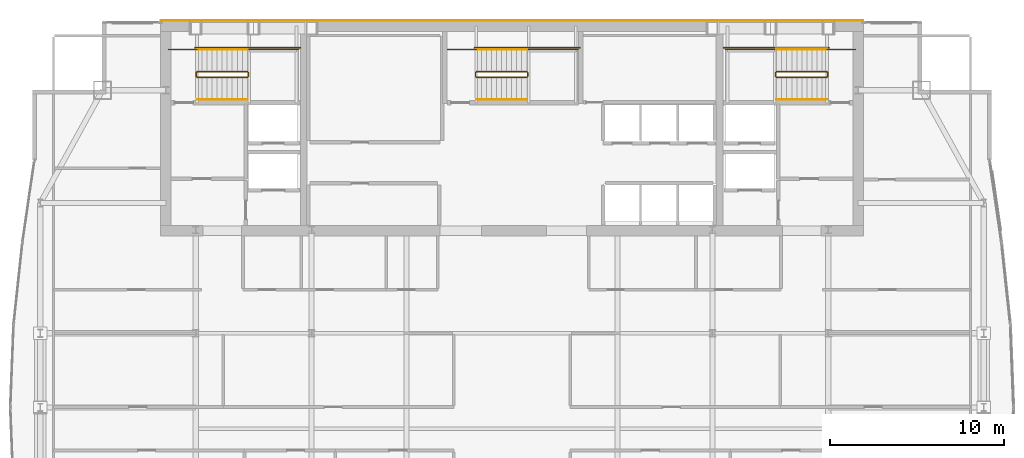
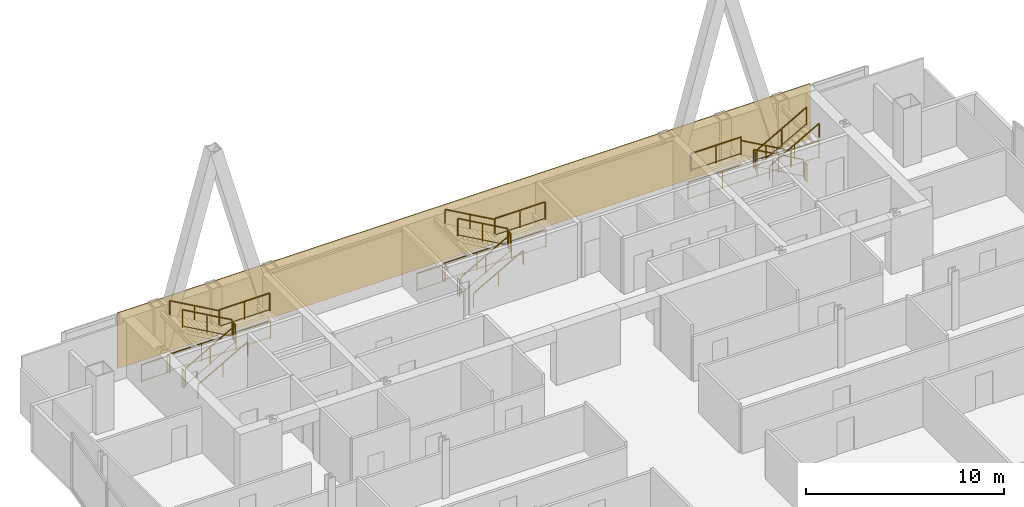
# One storey, part 31 of 31: 27 railings, 1 covering.
"""IFC4 building model written with IfcOpenShell, lengths in metres."""

from ifc_helpers import new_model, si_unit, direction, frame, origin, origin_2d, place, context, subcontext, project, spatial, polyline, rectangle, outline, extrude, material, layer, layer_set, type_object, element, save


model = new_model("IFC4")

# Units and contexts
model_context = context("Model", 3, precision=1e-05, world=origin(), true_north=direction((0.0, 1.0)))
body_context = subcontext(model_context, "Body", "Model", "MODEL_VIEW")
ifc_project = project(units=[si_unit("LENGTHUNIT", "METRE"), si_unit("AREAUNIT", "SQUARE_METRE"), si_unit("VOLUMEUNIT", "CUBIC_METRE"), si_unit("PLANEANGLEUNIT", "RADIAN"), si_unit("MASSUNIT", "GRAM", prefix="KILO")], contexts=[model_context])

# Site, building, storey
site_placement = place(None, origin())
site = spatial("IfcSite", under=ifc_project, at=site_placement, CompositionType="ELEMENT")
building_placement = place(site_placement, origin())
building = spatial("IfcBuilding", under=site, at=building_placement, Name="Khoronbel Lancet Exchange", CompositionType="ELEMENT")
storey_placement = place(building_placement, frame((0.0, 0.0, 249.800048828125)))
storey = spatial("IfcBuildingStorey", under=building, at=storey_placement, Name="L64", CompositionType="ELEMENT", Elevation=249.800048828125)

# Covering
ifc_material_1 = material(Name="Honed Egyptian Limestone & Bronze Rainscreen", Category="masonry")
ifc_layer = layer(ifc_material_1, 0.050048828125, Name="Honed Egyptian Limestone & Bronze Rainscreen")
ifc_layer_set = layer_set([ifc_layer], Name="Honed Egyptian Limestone & Bronze Rainscreen")
covering_type = type_object("IfcCoveringType", Name="COV-CLAD1", PredefinedType="CLADDING", material=ifc_layer_set)
covering_placement = place(storey_placement, origin())
element("IfcCovering", 1, at=covering_placement, inside=storey, type_object=covering_type, Name="Level L64 north rear-core stone and bronze rainscreen cladding", PredefinedType="CLADDING", context=body_context, shape_type="SweptSolid", body=[
    extrude(outline(polyline([(16.199951171875, 53.699951171875), (56.699951171875, 53.699951171875), (56.699951171875, 53.75), (16.199951171875, 53.75), (16.199951171875, 53.699951171875)])), origin(), (0.0, 0.0, 1.0), 3.43994140625),
])

# Railings
ifc_material_2 = material(Name="Painted Steel Balustrade", Category="steel")
railing_type_1 = type_object("IfcRailingType", Name="RL-STG110", PredefinedType="GUARDRAIL", material=ifc_material_2)
railing_1_placement = place(storey_placement, frame((18.300048828125, 50.449951171875, 0.16357421875)))
element("IfcRailing", 2, at=railing_1_placement, inside=storey, type_object=railing_type_1, Name="L64 ST1 stair guard 1", PredefinedType="GUARDRAIL", context=body_context, shape_type="SweptSolid", body=[
    extrude(rectangle(XDim=0.048095703125, YDim=0.048095703125, at=origin_2d()), frame((0.0, 0.0, 1.09619140625), z_axis=(0.870897200241, 0.0, 0.491465224214), x_axis=(0.0, 1.0, 0.0)), (0.0, 0.0, 1.0), 3.329833984375),
    extrude(rectangle(XDim=0.02392578125, YDim=0.02392578125, at=origin_2d()), frame((0.0, 0.0, 0.080078125), z_axis=(0.870897200241, 0.0, 0.491465224214), x_axis=(0.0, 1.0, 0.0)), (0.0, 0.0, 1.0), 3.329833984375),
    extrude(rectangle(XDim=0.0419921875, YDim=0.0419921875, at=origin_2d()), origin(), (0.0, 0.0, 1.0), 1.072021484375),
    extrude(rectangle(XDim=0.0419921875, YDim=0.0419921875, at=origin_2d()), frame((1.449951171875, 0.0, 0.818359375)), (0.0, 0.0, 1.0), 1.072021484375),
    extrude(rectangle(XDim=0.0419921875, YDim=0.0419921875, at=origin_2d()), frame((2.89990234375, 0.0, 1.636474609375)), (0.0, 0.0, 1.0), 1.072021484375),
])
railing_2_placement = place(storey_placement, frame((21.25, 50.5, 1.800048828125)))
element("IfcRailing", 3, at=railing_2_placement, inside=storey, type_object=railing_type_1, Name="L64 ST1 stair guard 2", PredefinedType="GUARDRAIL", context=body_context, shape_type="SweptSolid", body=[
    extrude(rectangle(XDim=0.048095703125, YDim=0.048095703125, at=origin_2d()), frame((0.0, 0.0, 1.09619140625), z_axis=(0.0, 1.0, 0.0), x_axis=(-1.0, 0.0, 0.0)), (0.0, 0.0, 1.0), 0.219970703125),
    extrude(rectangle(XDim=0.02392578125, YDim=0.02392578125, at=origin_2d()), frame((0.0, 0.0, 0.080078125), z_axis=(0.0, 1.0, 0.0), x_axis=(-1.0, 0.0, 0.0)), (0.0, 0.0, 1.0), 0.219970703125),
    extrude(rectangle(XDim=0.0419921875, YDim=0.0419921875, at=origin_2d()), origin(), (0.0, 0.0, 1.0), 1.072021484375),
    extrude(rectangle(XDim=0.0419921875, YDim=0.0419921875, at=origin_2d()), frame((0.0, 0.219970703125, 0.0)), (0.0, 0.0, 1.0), 1.072021484375),
])
railing_3_placement = place(storey_placement, frame((21.199951171875, 52.050048828125, 1.800048828125)))
element("IfcRailing", 4, at=railing_3_placement, inside=storey, type_object=railing_type_1, Name="L64 ST1 stair guard 3", PredefinedType="GUARDRAIL", context=body_context, shape_type="SweptSolid", body=[
    extrude(rectangle(XDim=0.048095703125, YDim=0.048095703125, at=origin_2d()), frame((0.0, 0.0, 1.09619140625), z_axis=(1.0, 0.0, 0.0), x_axis=(0.0, 1.0, 0.0)), (0.0, 0.0, 1.0), 2.949951171875),
    extrude(rectangle(XDim=0.02392578125, YDim=0.02392578125, at=origin_2d()), frame((0.0, 0.0, 0.080078125), z_axis=(1.0, 0.0, 0.0), x_axis=(0.0, 1.0, 0.0)), (0.0, 0.0, 1.0), 2.949951171875),
    extrude(rectangle(XDim=0.0419921875, YDim=0.0419921875, at=origin_2d()), origin(), (0.0, 0.0, 1.0), 1.072021484375),
    extrude(rectangle(XDim=0.0419921875, YDim=0.0419921875, at=origin_2d()), frame((1.47509765625, 0.0, 0.0)), (0.0, 0.0, 1.0), 1.072021484375),
    extrude(rectangle(XDim=0.0419921875, YDim=0.0419921875, at=origin_2d()), frame((2.949951171875, 0.0, 0.0)), (0.0, 0.0, 1.0), 1.072021484375),
])
railing_4_placement = place(storey_placement, frame((21.199951171875, 50.77001953125, 1.963623046875)))
element("IfcRailing", 5, at=railing_4_placement, inside=storey, type_object=railing_type_1, Name="L64 ST1 stair guard 4", PredefinedType="GUARDRAIL", context=body_context, shape_type="SweptSolid", body=[
    extrude(rectangle(XDim=0.048095703125, YDim=0.048095703125, at=origin_2d()), frame((0.0, 0.0, 1.09619140625), z_axis=(-0.870928581787, 0.0, 0.491409610636), x_axis=(0.0, -1.0, 0.0)), (0.0, 0.0, 1.0), 3.32958984375),
    extrude(rectangle(XDim=0.02392578125, YDim=0.02392578125, at=origin_2d()), frame((0.0, 0.0, 0.080078125), z_axis=(-0.870928581787, 0.0, 0.491409610636), x_axis=(0.0, -1.0, 0.0)), (0.0, 0.0, 1.0), 3.32958984375),
    extrude(rectangle(XDim=0.0419921875, YDim=0.0419921875, at=origin_2d()), origin(), (0.0, 0.0, 1.0), 1.072021484375),
    extrude(rectangle(XDim=0.0419921875, YDim=0.0419921875, at=origin_2d()), frame((-1.449951171875, 0.0, 0.818115234375)), (0.0, 0.0, 1.0), 1.072021484375),
    extrude(rectangle(XDim=0.0419921875, YDim=0.0419921875, at=origin_2d()), frame((-2.89990234375, 0.0, 1.63623046875)), (0.0, 0.0, 1.0), 1.072021484375),
])
railing_5_placement = place(storey_placement, frame((18.25, 50.5, 0.0)))
element("IfcRailing", 6, at=railing_5_placement, inside=storey, type_object=railing_type_1, Name="L64 ST1 stair guard 5", PredefinedType="GUARDRAIL", context=body_context, shape_type="SweptSolid", body=[
    extrude(rectangle(XDim=0.048095703125, YDim=0.048095703125, at=origin_2d()), frame((0.0, 0.0, 1.09619140625), z_axis=(0.0, 1.0, 0.0), x_axis=(-1.0, 0.0, 0.0)), (0.0, 0.0, 1.0), 0.219970703125),
    extrude(rectangle(XDim=0.02392578125, YDim=0.02392578125, at=origin_2d()), frame((0.0, 0.0, 0.080078125), z_axis=(0.0, 1.0, 0.0), x_axis=(-1.0, 0.0, 0.0)), (0.0, 0.0, 1.0), 0.219970703125),
    extrude(rectangle(XDim=0.0419921875, YDim=0.0419921875, at=origin_2d()), origin(), (0.0, 0.0, 1.0), 1.072021484375),
    extrude(rectangle(XDim=0.0419921875, YDim=0.0419921875, at=origin_2d()), frame((0.0, 0.219970703125, 0.0)), (0.0, 0.0, 1.0), 1.072021484375),
])
railing_6_placement = place(storey_placement, frame((16.64990234375, 52.050048828125, 0.0)))
element("IfcRailing", 7, at=railing_6_placement, inside=storey, type_object=railing_type_1, Name="L64 ST1 stair guard 6", PredefinedType="GUARDRAIL", context=body_context, shape_type="SweptSolid", body=[
    extrude(rectangle(XDim=0.048095703125, YDim=0.048095703125, at=origin_2d()), frame((0.0, 0.0, 1.09619140625), z_axis=(1.0, 0.0, 0.0), x_axis=(0.0, 1.0, 0.0)), (0.0, 0.0, 1.0), 1.650146484375),
    extrude(rectangle(XDim=0.02392578125, YDim=0.02392578125, at=origin_2d()), frame((0.0, 0.0, 0.080078125), z_axis=(1.0, 0.0, 0.0), x_axis=(0.0, 1.0, 0.0)), (0.0, 0.0, 1.0), 1.650146484375),
    extrude(rectangle(XDim=0.0419921875, YDim=0.0419921875, at=origin_2d()), origin(), (0.0, 0.0, 1.0), 1.072021484375),
    extrude(rectangle(XDim=0.0419921875, YDim=0.0419921875, at=origin_2d()), frame((1.650146484375, 0.0, 0.0)), (0.0, 0.0, 1.0), 1.072021484375),
])
railing_7_placement = place(storey_placement, frame((18.199951171875, 52.14990234375, 0.0)))
element("IfcRailing", 8, at=railing_7_placement, inside=storey, type_object=railing_type_1, Name="L64 ST1 stair guard 7", PredefinedType="GUARDRAIL", context=body_context, shape_type="SweptSolid", body=[
    extrude(rectangle(XDim=0.048095703125, YDim=0.048095703125, at=origin_2d()), frame((0.0, 0.0, 1.09619140625), z_axis=(1.0, 0.0, 0.0), x_axis=(0.0, 1.0, 0.0)), (0.0, 0.0, 1.0), 6.050048828125),
    extrude(rectangle(XDim=0.02392578125, YDim=0.02392578125, at=origin_2d()), frame((0.0, 0.0, 0.080078125), z_axis=(1.0, 0.0, 0.0), x_axis=(0.0, 1.0, 0.0)), (0.0, 0.0, 1.0), 6.050048828125),
    extrude(rectangle(XDim=0.0419921875, YDim=0.0419921875, at=origin_2d()), origin(), (0.0, 0.0, 1.0), 1.072021484375),
    extrude(rectangle(XDim=0.0419921875, YDim=0.0419921875, at=origin_2d()), frame((2.0166015625, 0.0, 0.0)), (0.0, 0.0, 1.0), 1.072021484375),
    extrude(rectangle(XDim=0.0419921875, YDim=0.0419921875, at=origin_2d()), frame((4.033447265625, 0.0, 0.0)), (0.0, 0.0, 1.0), 1.072021484375),
    extrude(rectangle(XDim=0.0419921875, YDim=0.0419921875, at=origin_2d()), frame((6.050048828125, 0.0, 0.0)), (0.0, 0.0, 1.0), 1.072021484375),
])
railing_8_placement = place(storey_placement, frame((54.60009765625, 50.77001953125, 0.16357421875)))
element("IfcRailing", 9, at=railing_8_placement, inside=storey, type_object=railing_type_1, Name="L64 ST2 stair guard 1", PredefinedType="GUARDRAIL", context=body_context, shape_type="SweptSolid", body=[
    extrude(rectangle(XDim=0.048095703125, YDim=0.048095703125, at=origin_2d()), frame((0.0, 0.0, 1.09619140625), z_axis=(-0.870914908162, 0.0, 0.491433843708), x_axis=(0.0, -1.0, 0.0)), (0.0, 0.0, 1.0), 3.330078125),
    extrude(rectangle(XDim=0.02392578125, YDim=0.02392578125, at=origin_2d()), frame((0.0, 0.0, 0.080078125), z_axis=(-0.870914908162, 0.0, 0.491433843708), x_axis=(0.0, -1.0, 0.0)), (0.0, 0.0, 1.0), 3.330078125),
    extrude(rectangle(XDim=0.0419921875, YDim=0.0419921875, at=origin_2d()), origin(), (0.0, 0.0, 1.0), 1.072021484375),
    extrude(rectangle(XDim=0.0419921875, YDim=0.0419921875, at=origin_2d()), frame((-1.4501953125, 0.0, 0.818359375)), (0.0, 0.0, 1.0), 1.072021484375),
    extrude(rectangle(XDim=0.0419921875, YDim=0.0419921875, at=origin_2d()), frame((-2.900146484375, 0.0, 1.636474609375)), (0.0, 0.0, 1.0), 1.072021484375),
])
railing_9_placement = place(storey_placement, frame((51.64990234375, 50.719970703125, 1.800048828125)))
element("IfcRailing", 10, at=railing_9_placement, inside=storey, type_object=railing_type_1, Name="L64 ST2 stair guard 2", PredefinedType="GUARDRAIL", context=body_context, shape_type="SweptSolid", body=[
    extrude(rectangle(XDim=0.048095703125, YDim=0.048095703125, at=origin_2d()), frame((0.0, 0.0, 1.09619140625), z_axis=(0.0, -1.0, 0.0), x_axis=(1.0, 0.0, 0.0)), (0.0, 0.0, 1.0), 0.219970703125),
    extrude(rectangle(XDim=0.02392578125, YDim=0.02392578125, at=origin_2d()), frame((0.0, 0.0, 0.080078125), z_axis=(0.0, -1.0, 0.0), x_axis=(1.0, 0.0, 0.0)), (0.0, 0.0, 1.0), 0.219970703125),
    extrude(rectangle(XDim=0.0419921875, YDim=0.0419921875, at=origin_2d()), origin(), (0.0, 0.0, 1.0), 1.072021484375),
    extrude(rectangle(XDim=0.0419921875, YDim=0.0419921875, at=origin_2d()), frame((0.0, -0.219970703125, 0.0)), (0.0, 0.0, 1.0), 1.072021484375),
])
railing_10_placement = place(storey_placement, frame((51.699951171875, 52.050048828125, 1.800048828125)))
element("IfcRailing", 11, at=railing_10_placement, inside=storey, type_object=railing_type_1, Name="L64 ST2 stair guard 3", PredefinedType="GUARDRAIL", context=body_context, shape_type="SweptSolid", body=[
    extrude(rectangle(XDim=0.048095703125, YDim=0.048095703125, at=origin_2d()), frame((0.0, 0.0, 1.09619140625), z_axis=(-1.0, 0.0, 0.0), x_axis=(0.0, -1.0, 0.0)), (0.0, 0.0, 1.0), 2.949951171875),
    extrude(rectangle(XDim=0.02392578125, YDim=0.02392578125, at=origin_2d()), frame((0.0, 0.0, 0.080078125), z_axis=(-1.0, 0.0, 0.0), x_axis=(0.0, -1.0, 0.0)), (0.0, 0.0, 1.0), 2.949951171875),
    extrude(rectangle(XDim=0.0419921875, YDim=0.0419921875, at=origin_2d()), origin(), (0.0, 0.0, 1.0), 1.072021484375),
    extrude(rectangle(XDim=0.0419921875, YDim=0.0419921875, at=origin_2d()), frame((-1.47509765625, 0.0, 0.0)), (0.0, 0.0, 1.0), 1.072021484375),
    extrude(rectangle(XDim=0.0419921875, YDim=0.0419921875, at=origin_2d()), frame((-2.949951171875, 0.0, 0.0)), (0.0, 0.0, 1.0), 1.072021484375),
])
railing_11_placement = place(storey_placement, frame((51.699951171875, 50.449951171875, 1.963623046875)))
element("IfcRailing", 12, at=railing_11_placement, inside=storey, type_object=railing_type_1, Name="L64 ST2 stair guard 4", PredefinedType="GUARDRAIL", context=body_context, shape_type="SweptSolid", body=[
    extrude(rectangle(XDim=0.048095703125, YDim=0.048095703125, at=origin_2d()), frame((0.0, 0.0, 1.09619140625), z_axis=(0.870946286338, 0.0, 0.49137823142), x_axis=(0.0, 1.0, 0.0)), (0.0, 0.0, 1.0), 3.329833984375),
    extrude(rectangle(XDim=0.02392578125, YDim=0.02392578125, at=origin_2d()), frame((0.0, 0.0, 0.080078125), z_axis=(0.870946286338, 0.0, 0.49137823142), x_axis=(0.0, 1.0, 0.0)), (0.0, 0.0, 1.0), 3.329833984375),
    extrude(rectangle(XDim=0.0419921875, YDim=0.0419921875, at=origin_2d()), origin(), (0.0, 0.0, 1.0), 1.072021484375),
    extrude(rectangle(XDim=0.0419921875, YDim=0.0419921875, at=origin_2d()), frame((1.4501953125, 0.0, 0.818115234375)), (0.0, 0.0, 1.0), 1.072021484375),
    extrude(rectangle(XDim=0.0419921875, YDim=0.0419921875, at=origin_2d()), frame((2.900146484375, 0.0, 1.63623046875)), (0.0, 0.0, 1.0), 1.072021484375),
])
railing_12_placement = place(storey_placement, frame((54.64990234375, 50.719970703125, 0.0)))
element("IfcRailing", 13, at=railing_12_placement, inside=storey, type_object=railing_type_1, Name="L64 ST2 stair guard 5", PredefinedType="GUARDRAIL", context=body_context, shape_type="SweptSolid", body=[
    extrude(rectangle(XDim=0.048095703125, YDim=0.048095703125, at=origin_2d()), frame((0.0, 0.0, 1.09619140625), z_axis=(0.0, -1.0, 0.0), x_axis=(1.0, 0.0, 0.0)), (0.0, 0.0, 1.0), 0.219970703125),
    extrude(rectangle(XDim=0.02392578125, YDim=0.02392578125, at=origin_2d()), frame((0.0, 0.0, 0.080078125), z_axis=(0.0, -1.0, 0.0), x_axis=(1.0, 0.0, 0.0)), (0.0, 0.0, 1.0), 0.219970703125),
    extrude(rectangle(XDim=0.0419921875, YDim=0.0419921875, at=origin_2d()), origin(), (0.0, 0.0, 1.0), 1.072021484375),
    extrude(rectangle(XDim=0.0419921875, YDim=0.0419921875, at=origin_2d()), frame((0.0, -0.219970703125, 0.0)), (0.0, 0.0, 1.0), 1.072021484375),
])
railing_13_placement = place(storey_placement, frame((56.25, 52.050048828125, 0.0)))
element("IfcRailing", 14, at=railing_13_placement, inside=storey, type_object=railing_type_1, Name="L64 ST2 stair guard 6", PredefinedType="GUARDRAIL", context=body_context, shape_type="SweptSolid", body=[
    extrude(rectangle(XDim=0.048095703125, YDim=0.048095703125, at=origin_2d()), frame((0.0, 0.0, 1.09619140625), z_axis=(-1.0, 0.0, 0.0), x_axis=(0.0, -1.0, 0.0)), (0.0, 0.0, 1.0), 1.64990234375),
    extrude(rectangle(XDim=0.02392578125, YDim=0.02392578125, at=origin_2d()), frame((0.0, 0.0, 0.080078125), z_axis=(-1.0, 0.0, 0.0), x_axis=(0.0, -1.0, 0.0)), (0.0, 0.0, 1.0), 1.64990234375),
    extrude(rectangle(XDim=0.0419921875, YDim=0.0419921875, at=origin_2d()), origin(), (0.0, 0.0, 1.0), 1.072021484375),
    extrude(rectangle(XDim=0.0419921875, YDim=0.0419921875, at=origin_2d()), frame((-1.64990234375, 0.0, 0.0)), (0.0, 0.0, 1.0), 1.072021484375),
])
railing_14_placement = place(storey_placement, frame((54.699951171875, 52.14990234375, 0.0)))
element("IfcRailing", 15, at=railing_14_placement, inside=storey, type_object=railing_type_1, Name="L64 ST2 stair guard 7", PredefinedType="GUARDRAIL", context=body_context, shape_type="SweptSolid", body=[
    extrude(rectangle(XDim=0.048095703125, YDim=0.048095703125, at=origin_2d()), frame((0.0, 0.0, 1.09619140625), z_axis=(-1.0, 0.0, 0.0), x_axis=(0.0, -1.0, 0.0)), (0.0, 0.0, 1.0), 6.050048828125),
    extrude(rectangle(XDim=0.02392578125, YDim=0.02392578125, at=origin_2d()), frame((0.0, 0.0, 0.080078125), z_axis=(-1.0, 0.0, 0.0), x_axis=(0.0, -1.0, 0.0)), (0.0, 0.0, 1.0), 6.050048828125),
    extrude(rectangle(XDim=0.0419921875, YDim=0.0419921875, at=origin_2d()), origin(), (0.0, 0.0, 1.0), 1.072021484375),
    extrude(rectangle(XDim=0.0419921875, YDim=0.0419921875, at=origin_2d()), frame((-2.0166015625, 0.0, 0.0)), (0.0, 0.0, 1.0), 1.072021484375),
    extrude(rectangle(XDim=0.0419921875, YDim=0.0419921875, at=origin_2d()), frame((-4.033447265625, 0.0, 0.0)), (0.0, 0.0, 1.0), 1.072021484375),
    extrude(rectangle(XDim=0.0419921875, YDim=0.0419921875, at=origin_2d()), frame((-6.050048828125, 0.0, 0.0)), (0.0, 0.0, 1.0), 1.072021484375),
])
railing_15_placement = place(storey_placement, frame((34.39990234375, 50.449951171875, 0.16357421875)))
element("IfcRailing", 16, at=railing_15_placement, inside=storey, type_object=railing_type_1, Name="L64 ST3 stair guard 1", PredefinedType="GUARDRAIL", context=body_context, shape_type="SweptSolid", body=[
    extrude(rectangle(XDim=0.048095703125, YDim=0.048095703125, at=origin_2d()), frame((0.0, 0.0, 1.09619140625), z_axis=(0.870914908162, 0.0, 0.491433843708), x_axis=(0.0, 1.0, 0.0)), (0.0, 0.0, 1.0), 3.330078125),
    extrude(rectangle(XDim=0.02392578125, YDim=0.02392578125, at=origin_2d()), frame((0.0, 0.0, 0.080078125), z_axis=(0.870914908162, 0.0, 0.491433843708), x_axis=(0.0, 1.0, 0.0)), (0.0, 0.0, 1.0), 3.330078125),
    extrude(rectangle(XDim=0.0419921875, YDim=0.0419921875, at=origin_2d()), origin(), (0.0, 0.0, 1.0), 1.072021484375),
    extrude(rectangle(XDim=0.0419921875, YDim=0.0419921875, at=origin_2d()), frame((1.4501953125, 0.0, 0.818359375)), (0.0, 0.0, 1.0), 1.072021484375),
    extrude(rectangle(XDim=0.0419921875, YDim=0.0419921875, at=origin_2d()), frame((2.900146484375, 0.0, 1.636474609375)), (0.0, 0.0, 1.0), 1.072021484375),
])
railing_16_placement = place(storey_placement, frame((37.35009765625, 50.5, 1.800048828125)))
element("IfcRailing", 17, at=railing_16_placement, inside=storey, type_object=railing_type_1, Name="L64 ST3 stair guard 2", PredefinedType="GUARDRAIL", context=body_context, shape_type="SweptSolid", body=[
    extrude(rectangle(XDim=0.048095703125, YDim=0.048095703125, at=origin_2d()), frame((0.0, 0.0, 1.09619140625), z_axis=(0.0, 1.0, 0.0), x_axis=(-1.0, 0.0, 0.0)), (0.0, 0.0, 1.0), 0.219970703125),
    extrude(rectangle(XDim=0.02392578125, YDim=0.02392578125, at=origin_2d()), frame((0.0, 0.0, 0.080078125), z_axis=(0.0, 1.0, 0.0), x_axis=(-1.0, 0.0, 0.0)), (0.0, 0.0, 1.0), 0.219970703125),
    extrude(rectangle(XDim=0.0419921875, YDim=0.0419921875, at=origin_2d()), origin(), (0.0, 0.0, 1.0), 1.072021484375),
    extrude(rectangle(XDim=0.0419921875, YDim=0.0419921875, at=origin_2d()), frame((0.0, 0.219970703125, 0.0)), (0.0, 0.0, 1.0), 1.072021484375),
])
railing_17_placement = place(storey_placement, frame((37.300048828125, 52.050048828125, 1.800048828125)))
element("IfcRailing", 18, at=railing_17_placement, inside=storey, type_object=railing_type_1, Name="L64 ST3 stair guard 3", PredefinedType="GUARDRAIL", context=body_context, shape_type="SweptSolid", body=[
    extrude(rectangle(XDim=0.048095703125, YDim=0.048095703125, at=origin_2d()), frame((0.0, 0.0, 1.09619140625), z_axis=(1.0, 0.0, 0.0), x_axis=(0.0, 1.0, 0.0)), (0.0, 0.0, 1.0), 2.949951171875),
    extrude(rectangle(XDim=0.02392578125, YDim=0.02392578125, at=origin_2d()), frame((0.0, 0.0, 0.080078125), z_axis=(1.0, 0.0, 0.0), x_axis=(0.0, 1.0, 0.0)), (0.0, 0.0, 1.0), 2.949951171875),
    extrude(rectangle(XDim=0.0419921875, YDim=0.0419921875, at=origin_2d()), origin(), (0.0, 0.0, 1.0), 1.072021484375),
    extrude(rectangle(XDim=0.0419921875, YDim=0.0419921875, at=origin_2d()), frame((1.47509765625, 0.0, 0.0)), (0.0, 0.0, 1.0), 1.072021484375),
    extrude(rectangle(XDim=0.0419921875, YDim=0.0419921875, at=origin_2d()), frame((2.949951171875, 0.0, 0.0)), (0.0, 0.0, 1.0), 1.072021484375),
])
railing_18_placement = place(storey_placement, frame((37.300048828125, 50.77001953125, 1.963623046875)))
element("IfcRailing", 19, at=railing_18_placement, inside=storey, type_object=railing_type_1, Name="L64 ST3 stair guard 4", PredefinedType="GUARDRAIL", context=body_context, shape_type="SweptSolid", body=[
    extrude(rectangle(XDim=0.048095703125, YDim=0.048095703125, at=origin_2d()), frame((0.0, 0.0, 1.09619140625), z_axis=(-0.870946286338, 0.0, 0.49137823142), x_axis=(0.0, -1.0, 0.0)), (0.0, 0.0, 1.0), 3.329833984375),
    extrude(rectangle(XDim=0.02392578125, YDim=0.02392578125, at=origin_2d()), frame((0.0, 0.0, 0.080078125), z_axis=(-0.870946286338, 0.0, 0.49137823142), x_axis=(0.0, -1.0, 0.0)), (0.0, 0.0, 1.0), 3.329833984375),
    extrude(rectangle(XDim=0.0419921875, YDim=0.0419921875, at=origin_2d()), origin(), (0.0, 0.0, 1.0), 1.072021484375),
    extrude(rectangle(XDim=0.0419921875, YDim=0.0419921875, at=origin_2d()), frame((-1.4501953125, 0.0, 0.818115234375)), (0.0, 0.0, 1.0), 1.072021484375),
    extrude(rectangle(XDim=0.0419921875, YDim=0.0419921875, at=origin_2d()), frame((-2.900146484375, 0.0, 1.63623046875)), (0.0, 0.0, 1.0), 1.072021484375),
])
railing_19_placement = place(storey_placement, frame((34.35009765625, 50.5, 0.0)))
element("IfcRailing", 20, at=railing_19_placement, inside=storey, type_object=railing_type_1, Name="L64 ST3 stair guard 5", PredefinedType="GUARDRAIL", context=body_context, shape_type="SweptSolid", body=[
    extrude(rectangle(XDim=0.048095703125, YDim=0.048095703125, at=origin_2d()), frame((0.0, 0.0, 1.09619140625), z_axis=(0.0, 1.0, 0.0), x_axis=(-1.0, 0.0, 0.0)), (0.0, 0.0, 1.0), 0.219970703125),
    extrude(rectangle(XDim=0.02392578125, YDim=0.02392578125, at=origin_2d()), frame((0.0, 0.0, 0.080078125), z_axis=(0.0, 1.0, 0.0), x_axis=(-1.0, 0.0, 0.0)), (0.0, 0.0, 1.0), 0.219970703125),
    extrude(rectangle(XDim=0.0419921875, YDim=0.0419921875, at=origin_2d()), origin(), (0.0, 0.0, 1.0), 1.072021484375),
    extrude(rectangle(XDim=0.0419921875, YDim=0.0419921875, at=origin_2d()), frame((0.0, 0.219970703125, 0.0)), (0.0, 0.0, 1.0), 1.072021484375),
])
railing_20_placement = place(storey_placement, frame((32.75, 52.050048828125, 0.0)))
element("IfcRailing", 21, at=railing_20_placement, inside=storey, type_object=railing_type_1, Name="L64 ST3 stair guard 6", PredefinedType="GUARDRAIL", context=body_context, shape_type="SweptSolid", body=[
    extrude(rectangle(XDim=0.048095703125, YDim=0.048095703125, at=origin_2d()), frame((0.0, 0.0, 1.09619140625), z_axis=(1.0, 0.0, 0.0), x_axis=(0.0, 1.0, 0.0)), (0.0, 0.0, 1.0), 1.64990234375),
    extrude(rectangle(XDim=0.02392578125, YDim=0.02392578125, at=origin_2d()), frame((0.0, 0.0, 0.080078125), z_axis=(1.0, 0.0, 0.0), x_axis=(0.0, 1.0, 0.0)), (0.0, 0.0, 1.0), 1.64990234375),
    extrude(rectangle(XDim=0.0419921875, YDim=0.0419921875, at=origin_2d()), origin(), (0.0, 0.0, 1.0), 1.072021484375),
    extrude(rectangle(XDim=0.0419921875, YDim=0.0419921875, at=origin_2d()), frame((1.64990234375, 0.0, 0.0)), (0.0, 0.0, 1.0), 1.072021484375),
])
railing_21_placement = place(storey_placement, frame((34.300048828125, 52.14990234375, 0.0)))
element("IfcRailing", 22, at=railing_21_placement, inside=storey, type_object=railing_type_1, Name="L64 ST3 stair guard 7", PredefinedType="GUARDRAIL", context=body_context, shape_type="SweptSolid", body=[
    extrude(rectangle(XDim=0.048095703125, YDim=0.048095703125, at=origin_2d()), frame((0.0, 0.0, 1.09619140625), z_axis=(1.0, 0.0, 0.0), x_axis=(0.0, 1.0, 0.0)), (0.0, 0.0, 1.0), 6.050048828125),
    extrude(rectangle(XDim=0.02392578125, YDim=0.02392578125, at=origin_2d()), frame((0.0, 0.0, 0.080078125), z_axis=(1.0, 0.0, 0.0), x_axis=(0.0, 1.0, 0.0)), (0.0, 0.0, 1.0), 6.050048828125),
    extrude(rectangle(XDim=0.0419921875, YDim=0.0419921875, at=origin_2d()), origin(), (0.0, 0.0, 1.0), 1.072021484375),
    extrude(rectangle(XDim=0.0419921875, YDim=0.0419921875, at=origin_2d()), frame((2.0166015625, 0.0, 0.0)), (0.0, 0.0, 1.0), 1.072021484375),
    extrude(rectangle(XDim=0.0419921875, YDim=0.0419921875, at=origin_2d()), frame((4.033447265625, 0.0, 0.0)), (0.0, 0.0, 1.0), 1.072021484375),
    extrude(rectangle(XDim=0.0419921875, YDim=0.0419921875, at=origin_2d()), frame((6.050048828125, 0.0, 0.0)), (0.0, 0.0, 1.0), 1.072021484375),
])
ifc_material_3 = material(Name="Brushed Stainless Steel 316", Category="steel")
railing_type_2 = type_object("IfcRailingType", Name="RL-STH92", PredefinedType="HANDRAIL", material=ifc_material_3)
railing_22_placement = place(storey_placement, frame((18.300048828125, 49.169921875, 0.16357421875)))
element("IfcRailing", 23, at=railing_22_placement, inside=storey, type_object=railing_type_2, Name="L64 ST1 stair handrail 1", PredefinedType="HANDRAIL", context=body_context, shape_type="SweptSolid", body=[
    extrude(rectangle(XDim=0.048095703125, YDim=0.048095703125, at=origin_2d()), frame((0.0, 0.0, 0.8759765625), z_axis=(0.870897200241, 0.0, 0.491465224214), x_axis=(0.0, 1.0, 0.0)), (0.0, 0.0, 1.0), 3.329833984375),
    extrude(rectangle(XDim=0.0419921875, YDim=0.0419921875, at=origin_2d()), origin(), (0.0, 0.0, 1.0), 0.851806640625),
    extrude(rectangle(XDim=0.0419921875, YDim=0.0419921875, at=origin_2d()), frame((1.449951171875, 0.0, 0.818359375)), (0.0, 0.0, 1.0), 0.851806640625),
    extrude(rectangle(XDim=0.0419921875, YDim=0.0419921875, at=origin_2d()), frame((2.89990234375, 0.0, 1.636474609375)), (0.0, 0.0, 1.0), 0.851806640625),
])
railing_23_placement = place(storey_placement, frame((21.199951171875, 52.050048828125, 1.963623046875)))
element("IfcRailing", 24, at=railing_23_placement, inside=storey, type_object=railing_type_2, Name="L64 ST1 stair handrail 2", PredefinedType="HANDRAIL", context=body_context, shape_type="SweptSolid", body=[
    extrude(rectangle(XDim=0.048095703125, YDim=0.048095703125, at=origin_2d()), frame((0.0, 0.0, 0.8759765625), z_axis=(-0.870928581787, 0.0, 0.491409610636), x_axis=(0.0, -1.0, 0.0)), (0.0, 0.0, 1.0), 3.32958984375),
    extrude(rectangle(XDim=0.0419921875, YDim=0.0419921875, at=origin_2d()), origin(), (0.0, 0.0, 1.0), 0.851806640625),
    extrude(rectangle(XDim=0.0419921875, YDim=0.0419921875, at=origin_2d()), frame((-1.449951171875, 0.0, 0.818115234375)), (0.0, 0.0, 1.0), 0.851806640625),
    extrude(rectangle(XDim=0.0419921875, YDim=0.0419921875, at=origin_2d()), frame((-2.89990234375, 0.0, 1.63623046875)), (0.0, 0.0, 1.0), 0.851806640625),
])
railing_24_placement = place(storey_placement, frame((54.60009765625, 52.050048828125, 0.16357421875)))
element("IfcRailing", 25, at=railing_24_placement, inside=storey, type_object=railing_type_2, Name="L64 ST2 stair handrail 1", PredefinedType="HANDRAIL", context=body_context, shape_type="SweptSolid", body=[
    extrude(rectangle(XDim=0.048095703125, YDim=0.048095703125, at=origin_2d()), frame((0.0, 0.0, 0.8759765625), z_axis=(-0.870914908162, 0.0, 0.491433843708), x_axis=(0.0, -1.0, 0.0)), (0.0, 0.0, 1.0), 3.330078125),
    extrude(rectangle(XDim=0.0419921875, YDim=0.0419921875, at=origin_2d()), origin(), (0.0, 0.0, 1.0), 0.851806640625),
    extrude(rectangle(XDim=0.0419921875, YDim=0.0419921875, at=origin_2d()), frame((-1.4501953125, 0.0, 0.818359375)), (0.0, 0.0, 1.0), 0.851806640625),
    extrude(rectangle(XDim=0.0419921875, YDim=0.0419921875, at=origin_2d()), frame((-2.900146484375, 0.0, 1.636474609375)), (0.0, 0.0, 1.0), 0.851806640625),
])
railing_25_placement = place(storey_placement, frame((51.699951171875, 49.169921875, 1.963623046875)))
element("IfcRailing", 26, at=railing_25_placement, inside=storey, type_object=railing_type_2, Name="L64 ST2 stair handrail 2", PredefinedType="HANDRAIL", context=body_context, shape_type="SweptSolid", body=[
    extrude(rectangle(XDim=0.048095703125, YDim=0.048095703125, at=origin_2d()), frame((0.0, 0.0, 0.8759765625), z_axis=(0.870946286338, 0.0, 0.49137823142), x_axis=(0.0, 1.0, 0.0)), (0.0, 0.0, 1.0), 3.329833984375),
    extrude(rectangle(XDim=0.0419921875, YDim=0.0419921875, at=origin_2d()), origin(), (0.0, 0.0, 1.0), 0.851806640625),
    extrude(rectangle(XDim=0.0419921875, YDim=0.0419921875, at=origin_2d()), frame((1.4501953125, 0.0, 0.818115234375)), (0.0, 0.0, 1.0), 0.851806640625),
    extrude(rectangle(XDim=0.0419921875, YDim=0.0419921875, at=origin_2d()), frame((2.900146484375, 0.0, 1.63623046875)), (0.0, 0.0, 1.0), 0.851806640625),
])
railing_26_placement = place(storey_placement, frame((34.39990234375, 49.169921875, 0.16357421875)))
element("IfcRailing", 27, at=railing_26_placement, inside=storey, type_object=railing_type_2, Name="L64 ST3 stair handrail 1", PredefinedType="HANDRAIL", context=body_context, shape_type="SweptSolid", body=[
    extrude(rectangle(XDim=0.048095703125, YDim=0.048095703125, at=origin_2d()), frame((0.0, 0.0, 0.8759765625), z_axis=(0.870914908162, 0.0, 0.491433843708), x_axis=(0.0, 1.0, 0.0)), (0.0, 0.0, 1.0), 3.330078125),
    extrude(rectangle(XDim=0.0419921875, YDim=0.0419921875, at=origin_2d()), origin(), (0.0, 0.0, 1.0), 0.851806640625),
    extrude(rectangle(XDim=0.0419921875, YDim=0.0419921875, at=origin_2d()), frame((1.4501953125, 0.0, 0.818359375)), (0.0, 0.0, 1.0), 0.851806640625),
    extrude(rectangle(XDim=0.0419921875, YDim=0.0419921875, at=origin_2d()), frame((2.900146484375, 0.0, 1.636474609375)), (0.0, 0.0, 1.0), 0.851806640625),
])
railing_27_placement = place(storey_placement, frame((37.300048828125, 52.050048828125, 1.963623046875)))
element("IfcRailing", 28, at=railing_27_placement, inside=storey, type_object=railing_type_2, Name="L64 ST3 stair handrail 2", PredefinedType="HANDRAIL", context=body_context, shape_type="SweptSolid", body=[
    extrude(rectangle(XDim=0.048095703125, YDim=0.048095703125, at=origin_2d()), frame((0.0, 0.0, 0.8759765625), z_axis=(-0.870946286338, 0.0, 0.49137823142), x_axis=(0.0, -1.0, 0.0)), (0.0, 0.0, 1.0), 3.329833984375),
    extrude(rectangle(XDim=0.0419921875, YDim=0.0419921875, at=origin_2d()), origin(), (0.0, 0.0, 1.0), 0.851806640625),
    extrude(rectangle(XDim=0.0419921875, YDim=0.0419921875, at=origin_2d()), frame((-1.4501953125, 0.0, 0.818115234375)), (0.0, 0.0, 1.0), 0.851806640625),
    extrude(rectangle(XDim=0.0419921875, YDim=0.0419921875, at=origin_2d()), frame((-2.900146484375, 0.0, 1.63623046875)), (0.0, 0.0, 1.0), 0.851806640625),
])

save(model, "model.ifc")
